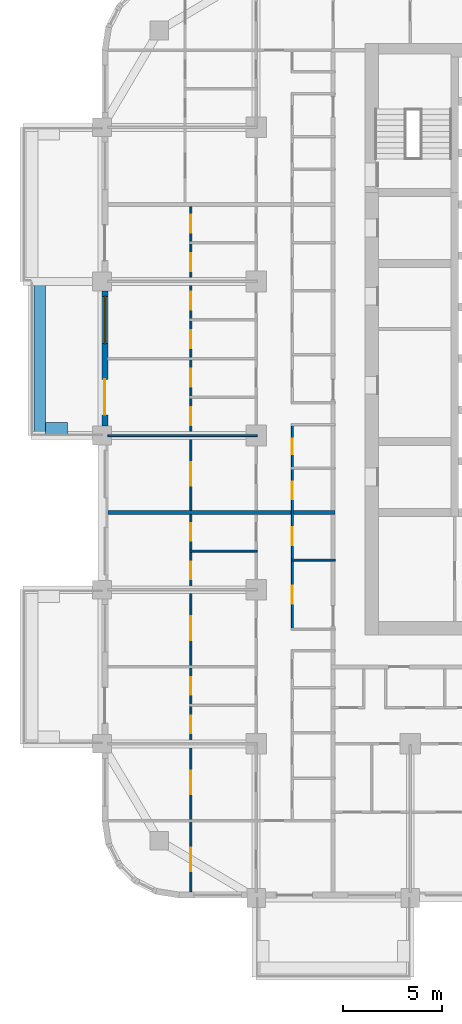
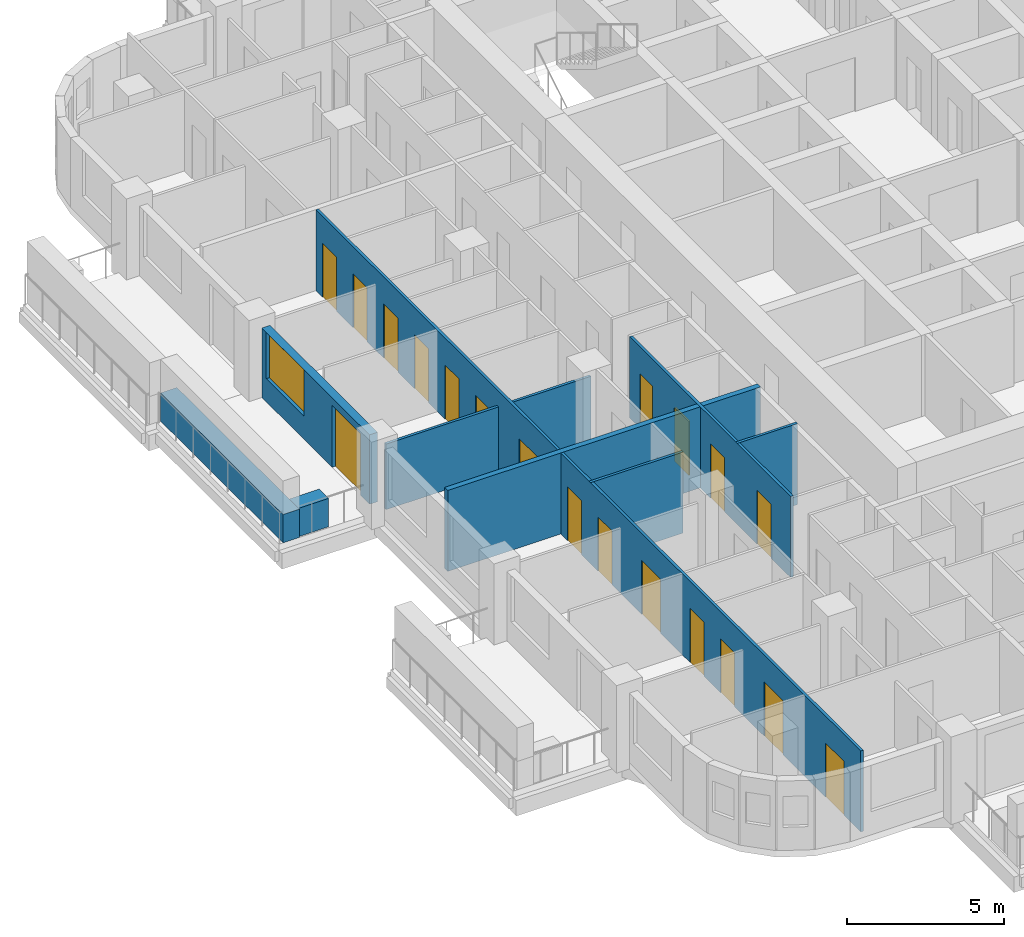
# One storey, part 5 of 18: 19 doors, 9 walls, 1 window, 20 openings.
"""IFC4 building model written with IfcOpenShell, lengths in metres."""

import ifcopenshell
import ifcopenshell.guid

model = None  # the IFC model being written
_history = None  # IfcOwnerHistory: only IFC2X3 demands one
_inside = {}  # id of a spatial element -> (the spatial element, [elements in it])
_under = {}  # id of a project, library or spatial element -> (it, [spatial elements below it])
_declared = {}  # id of a project -> (the project, [libraries it declares])
_typed = {}  # id of a type object -> (the type object, [elements of that type])
_made_of = {}  # id of a material, layer set ... -> (it, [elements and type objects made of it])


def new_model(schema):
    """Start an empty IFC model of exactly this schema.

    Asked for "IFC4X3", IfcOpenShell would pick the latest addendum, in which some entities
    have other attributes; the version numbers below select the first issue.
    IFC2X3 requires an IfcOwnerHistory on every rooted entity: one is made here for all.
    """
    global model, _history
    if schema == "IFC4X3":
        model = ifcopenshell.file(schema_version=(4, 3, 0, 0))
    else:
        model = ifcopenshell.file(schema=schema)
    _inside.clear()
    _under.clear()
    _declared.clear()
    _typed.clear()
    _made_of.clear()
    _history = None
    if model.schema == "IFC2X3":
        org = make("IfcOrganization", Name="unknown")
        user = make(
            "IfcPersonAndOrganization",
            ThePerson=make("IfcPerson", FamilyName="unknown"),
            TheOrganization=org,
        )
        app = make(
            "IfcApplication",
            ApplicationDeveloper=org,
            Version="unknown",
            ApplicationFullName="unknown",
            ApplicationIdentifier="unknown",
        )
        _history = make(
            "IfcOwnerHistory",
            OwningUser=user,
            OwningApplication=app,
            ChangeAction="ADDED",
            CreationDate=0,
        )
    return model


def make(cls, **values):
    """One entity of the class cls with the attributes given. An attribute that is None is left unset."""
    return model.create_entity(
        cls, **{name: value for name, value in values.items() if value is not None}
    )


def rooted(cls, **values):
    """An entity with a GlobalId (a new one), such as an element, a storey or a relation."""
    return make(cls, GlobalId=ifcopenshell.guid.new(), OwnerHistory=_history, **values)


def si_unit(unit_type, name, prefix=None):
    """IfcSIUnit, for example si_unit("LENGTHUNIT", "METRE", prefix="MILLI")."""
    return make("IfcSIUnit", UnitType=unit_type, Prefix=prefix, Name=name)


def assignment(units):
    """IfcUnitAssignment: the units of a project."""
    return None if units is None else make("IfcUnitAssignment", Units=units)


def point(xyz):
    """IfcCartesianPoint."""
    return None if xyz is None else make("IfcCartesianPoint", Coordinates=xyz)


def direction(xyz):
    """IfcDirection."""
    return None if xyz is None else make("IfcDirection", DirectionRatios=xyz)


def frame(location, z_axis=None, x_axis=None):
    """IfcAxis2Placement3D, a coordinate frame: its origin and axes. An axis left out is left unset."""
    return make(
        "IfcAxis2Placement3D",
        Location=point(location),
        Axis=direction(z_axis),
        RefDirection=direction(x_axis),
    )


def frame_2d(location, x_axis=None):
    """IfcAxis2Placement2D, a coordinate frame in the plane: its origin and x axis."""
    return make(
        "IfcAxis2Placement2D", Location=point(location), RefDirection=direction(x_axis)
    )


def origin():
    """The frame at (0, 0, 0) with its axes left unset."""
    return frame((0.0, 0.0, 0.0))


def place(relative_to, where):
    """IfcLocalPlacement: puts the frame where relative to a parent placement (None: the world)."""
    return make(
        "IfcLocalPlacement", PlacementRelTo=relative_to, RelativePlacement=where
    )


def context(
    kind, dimensions, precision=None, world=None, true_north=None, identifier=None
):
    """IfcGeometricRepresentationContext, for example the 3D "Model" context."""
    return make(
        "IfcGeometricRepresentationContext",
        ContextIdentifier=identifier,
        ContextType=kind,
        CoordinateSpaceDimension=dimensions,
        Precision=precision,
        WorldCoordinateSystem=world,
        TrueNorth=true_north,
    )


def subcontext(parent, identifier, kind, view, scale=None):
    """IfcGeometricRepresentationSubContext, for example "Body" below "Model"."""
    return make(
        "IfcGeometricRepresentationSubContext",
        ContextIdentifier=identifier,
        ContextType=kind,
        ParentContext=parent,
        TargetScale=scale,
        TargetView=view,
    )


def project(units=None, contexts=None):
    """IfcProject with its units and contexts."""
    return rooted(
        "IfcProject",
        Name="project",
        RepresentationContexts=contexts,
        UnitsInContext=assignment(units),
    )


def spatial(cls, under=None, at=None, **own):
    """A site, building, storey or space (cls), placed at a placement, below another one or the project."""
    s = rooted(cls, ObjectPlacement=at, **own)
    if under is not None:
        _under.setdefault(under.id(), (under, []))[1].append(s)
    return s


def profile(cls, at=None, kind="AREA", **sizes):
    """A parametric profile (cls). Its sizes go by their IFC names, for example OverallWidth=200.0."""
    return make(cls, ProfileType=kind, Position=at, **sizes)


def rectangle(**sizes):
    """IfcRectangleProfileDef."""
    return profile("IfcRectangleProfileDef", **sizes)


def extrude(swept, where, along, depth):
    """IfcExtrudedAreaSolid: the profile swept, set in the frame where, extruded along a direction by depth."""
    return make(
        "IfcExtrudedAreaSolid",
        SweptArea=swept,
        Position=where,
        ExtrudedDirection=direction(along),
        Depth=depth,
    )


def shape(context_of_items, identifier, shape_type, items):
    """IfcShapeRepresentation: the items that make up one representation, for example the "Body"."""
    return make(
        "IfcShapeRepresentation",
        ContextOfItems=context_of_items,
        RepresentationIdentifier=identifier,
        RepresentationType=shape_type,
        Items=items,
    )


def material(Name=None, Category=None):
    """IfcMaterial."""
    return make("IfcMaterial", Name=Name, Category=Category)


def layer(
    of_material, thickness, ventilated=None, Name=None, Category=None, Priority=None
):
    """IfcMaterialLayer: one layer of a wall or slab, of a material (None: an air gap)."""
    return make(
        "IfcMaterialLayer",
        Material=of_material,
        LayerThickness=thickness,
        IsVentilated=ventilated,
        Name=Name,
        Category=Category,
        Priority=Priority,
    )


def layer_set(layers, Name=None):
    """IfcMaterialLayerSet."""
    return make("IfcMaterialLayerSet", MaterialLayers=layers, LayerSetName=Name)


def made_of(thing, what):
    """Note that an element or type object is made of a material, layer set ...; save() writes the relation."""
    if what is not None:
        _made_of.setdefault(what.id(), (what, []))[1].append(thing)
    return thing


def type_object(cls, material=None, **own):
    """A type object (cls), such as IfcWallType, which elements share."""
    return made_of(rooted(cls, **own), material)


def element(
    cls,
    number,
    at=None,
    inside=None,
    cuts=None,
    type_object=None,
    material=None,
    context=None,
    identifier="Body",
    shape_type=None,
    held_by="IfcProductDefinitionShape",
    body=None,
    shapes=None,
    **own,
):
    """One element of the class cls, such as IfcWall. Its Tag is "e" and its number.

    at: its placement. inside: the storey or other place that contains it. cuts: it is an
    opening in that element (IfcRelVoidsElement). A single representation is given by context,
    identifier, shape_type and body (its items); several are given by shapes. held_by: the class
    of the entity that holds the representations. save() writes the other relations.
    """
    e = rooted(cls, Tag="e%d" % number, ObjectPlacement=at, **own)
    if body is not None:
        shapes = [shape(context, identifier, shape_type, body)]
    if shapes is not None:
        e.Representation = make(held_by, Representations=shapes)
    if inside is not None:
        _inside.setdefault(inside.id(), (inside, []))[1].append(e)
    if cuts is not None:
        rooted(
            "IfcRelVoidsElement", RelatingBuildingElement=cuts, RelatedOpeningElement=e
        )
    if type_object is not None:
        _typed.setdefault(type_object.id(), (type_object, []))[1].append(e)
    return made_of(e, material)


def fill(opening, filler):
    """IfcRelFillsElement: the door or window that sits in an opening."""
    return rooted(
        "IfcRelFillsElement",
        RelatingOpeningElement=opening,
        RelatedBuildingElement=filler,
    )


def aggregate(whole, parts):
    """IfcRelAggregates: a whole, such as a stair, and the parts it consists of."""
    return rooted("IfcRelAggregates", RelatingObject=whole, RelatedObjects=parts)


def save(model, path):
    """Write the relations noted so far, then the file.

    IfcRelAggregates (storeys below a building ...), IfcRelContainedInSpatialStructure (elements
    in a storey), IfcRelDefinesByType, IfcRelAssociatesMaterial and IfcRelDeclares: one each for
    every whole, place, type object, material and project.
    """
    for whole, parts in _under.values():
        aggregate(whole, parts)
    for where, things in _inside.values():
        rooted(
            "IfcRelContainedInSpatialStructure",
            RelatedElements=things,
            RelatingStructure=where,
        )
    for kind, things in _typed.values():
        rooted("IfcRelDefinesByType", RelatedObjects=things, RelatingType=kind)
    for what, things in _made_of.values():
        rooted("IfcRelAssociatesMaterial", RelatedObjects=things, RelatingMaterial=what)
    for by, libraries in _declared.values():
        rooted("IfcRelDeclares", RelatingContext=by, RelatedDefinitions=libraries)
    model.write(path)


model = new_model("IFC4")

# Units and contexts
model_context = context("Model", 3, precision=1e-05, world=origin(), true_north=direction((0.0, 1.0)))
body_context = subcontext(model_context, "Body", "Model", "MODEL_VIEW")
ifc_project = project(units=[si_unit("LENGTHUNIT", "METRE"), si_unit("AREAUNIT", "SQUARE_METRE"), si_unit("VOLUMEUNIT", "CUBIC_METRE"), si_unit("PLANEANGLEUNIT", "RADIAN"), si_unit("MASSUNIT", "GRAM", prefix="KILO")], contexts=[model_context])

# Site, building, storey
site_placement = place(None, origin())
site = spatial("IfcSite", under=ifc_project, at=site_placement, CompositionType="ELEMENT")
building_placement = place(site_placement, origin())
building = spatial("IfcBuilding", under=site, at=building_placement, Name="Ludao Terraces", CompositionType="ELEMENT")
storey_placement = place(building_placement, frame((0.0, 0.0, 78.39990234375)))
storey = spatial("IfcBuildingStorey", under=building, at=storey_placement, Name="L21", CompositionType="ELEMENT", Elevation=78.39990234375)

# Walls
ifc_material_1 = material(Name="Concrete C40", Category="concrete")
ifc_layer_1 = layer(ifc_material_1, 0.60009765625)
ifc_layer_set_1 = layer_set([ifc_layer_1], Name="ENV Planter trough 600")
wall_type_1 = type_object("IfcWallType", Name="ENV Planter trough 600", PredefinedType="USERDEFINED", material=ifc_layer_set_1)
wall_1_placement = place(storey_placement, frame((58.449951171875, 65.0, 0.0), z_axis=(0.0, 0.0, 1.0), x_axis=(0.0, 1.0, 0.0)))
element("IfcWall", 1, at=wall_1_placement, inside=storey, type_object=wall_type_1, Name="PL-L21-W3", ObjectType="PLANTER", PredefinedType="USERDEFINED", context=body_context, shape_type="SweptSolid", body=[
    extrude(rectangle(XDim=7.800048828125, YDim=0.60009765625, at=frame_2d((3.89990234375, 0.0))), origin(), (0.0, 0.0, 1.0), 1.10009765625),
])
wall_2_placement = place(storey_placement, frame((58.75, 65.35009765625, 0.0), z_axis=(0.0, 0.0, 1.0), x_axis=(1.0, 0.0, 0.0)))
element("IfcWall", 2, at=wall_2_placement, inside=storey, type_object=wall_type_1, Name="PL-L21-W3-SA", ObjectType="PLANTER", PredefinedType="USERDEFINED", context=body_context, shape_type="SweptSolid", body=[
    extrude(rectangle(XDim=1.10009765625, YDim=0.60009765625, at=frame_2d((0.550048828125, 0.0))), origin(), (0.0, 0.0, 1.0), 1.10009765625),
])

# Wall, openings, door, window
ifc_material_2 = material(Name="Granite cladding", Category="masonry")
ifc_layer_2 = layer(ifc_material_2, 0.0400390625, Category="stone")
ifc_material_3 = material(Name="Mineral wool")
ifc_layer_3 = layer(ifc_material_3, 0.06005859375)
ifc_layer_4 = layer(ifc_material_1, 0.199951171875, Category="concrete")
ifc_layer_set_2 = layer_set([ifc_layer_2, ifc_layer_3, ifc_layer_4], Name="ENV Stone-clad wall 300")
wall_type_2 = type_object("IfcWallType", Name="ENV Stone-clad wall 300", PredefinedType="SOLIDWALL", material=ifc_layer_set_2)
wall_3_placement = place(storey_placement, frame((61.75, 65.47509765625, 0.0), z_axis=(0.0, 0.0, 1.0), x_axis=(0.0, 1.0, 0.0)))
wall_3 = element("IfcWall", 3, at=wall_3_placement, inside=storey, type_object=wall_type_2, Name="EW-L21-W4", PredefinedType="SOLIDWALL", context=body_context, shape_type="SweptSolid", body=[
    extrude(rectangle(XDim=6.849853515625, YDim=0.300048828125, at=frame_2d((3.4248046875, 0.0))), origin(), (0.0, 0.0, 1.0), 2.7001953125),
])
opening_1_placement = place(wall_3_placement, frame((0.574951171875, 0.0, 0.0)))
opening_1 = element("IfcOpeningElement", 4, at=opening_1_placement, cuts=wall_3, Name="Opening BD", PredefinedType="OPENING", context=body_context, shape_type="SweptSolid", body=[
    extrude(rectangle(XDim=1.800048828125, YDim=2.39990234375, at=frame_2d((0.89990234375, 1.199951171875))), frame((0.0, 0.16015625, 0.0), z_axis=(0.0, -1.0, 0.0), x_axis=(1.0, 0.0, 0.0)), (0.0, 0.0, 1.0), 0.320068359375),
])
opening_2_placement = place(wall_3_placement, frame((4.175048828125, 0.0, 0.89990234375)))
opening_2 = element("IfcOpeningElement", 5, at=opening_2_placement, cuts=wall_3, Name="Opening W1", PredefinedType="OPENING", context=body_context, shape_type="SweptSolid", body=[
    extrude(rectangle(XDim=2.39990234375, YDim=1.800048828125, at=frame_2d((1.199951171875, 0.89990234375))), frame((0.0, 0.16015625, 0.0), z_axis=(0.0, -1.0, 0.0), x_axis=(1.0, 0.0, 0.0)), (0.0, 0.0, 1.0), 0.320068359375),
])
ifc_material_4 = material(Name="Aluminium glazed door", Category="aluminium")
ifc_layer_5 = layer(ifc_material_4, 0.06005859375)
ifc_layer_set_3 = layer_set([ifc_layer_5], Name="ENV Balcony door BD 1800x2400")
door_type_1 = type_object("IfcDoorType", Name="ENV Balcony door BD 1800x2400", OperationType="DOUBLE_DOOR_SINGLE_SWING", PredefinedType="DOOR", material=ifc_layer_set_3)
door_1_placement = place(opening_1_placement, origin())
door_1 = element("IfcDoor", 6, at=door_1_placement, inside=storey, type_object=door_type_1, Name="BD-L21-W4-1", OperationType="DOUBLE_DOOR_SINGLE_SWING", OverallHeight=2.39990234375, OverallWidth=1.800048828125, PredefinedType="DOOR", context=body_context, shape_type="SweptSolid", body=[
    extrude(rectangle(XDim=1.800048828125, YDim=2.39990234375, at=frame_2d((0.89990234375, 1.199951171875))), frame((0.0, 0.02490234375, 0.0), z_axis=(0.0, -1.0, 0.0), x_axis=(1.0, 0.0, 0.0)), (0.0, 0.0, 1.0), 0.050048828125),
])
fill(opening_1, door_1)
ifc_material_5 = material(Name="Clear glass in aluminium frame", Category="aluminium")
ifc_layer_6 = layer(ifc_material_5, 0.06005859375)
ifc_layer_set_4 = layer_set([ifc_layer_6], Name="ENV Window W1 2400x1800")
window_type = type_object("IfcWindowType", Name="ENV Window W1 2400x1800", PartitioningType="DOUBLE_PANEL_VERTICAL", PredefinedType="WINDOW", material=ifc_layer_set_4)
window_placement = place(opening_2_placement, origin())
window = element("IfcWindow", 7, at=window_placement, inside=storey, type_object=window_type, Name="W-L21-W4-2", OverallHeight=1.800048828125, OverallWidth=2.39990234375, PartitioningType="DOUBLE_PANEL_VERTICAL", PredefinedType="WINDOW", context=body_context, shape_type="SweptSolid", body=[
    extrude(rectangle(XDim=2.39990234375, YDim=1.800048828125, at=frame_2d((1.199951171875, 0.89990234375))), frame((0.0, 0.030029296875, 0.0), z_axis=(0.0, -1.0, 0.0), x_axis=(1.0, 0.0, 0.0)), (0.0, 0.0, 1.0), 0.06005859375),
])
fill(opening_2, window)

# Walls
ifc_material_6 = material(Name="Gypsum plasterboard", Category="gypsum")
ifc_layer_7 = layer(ifc_material_6, 0.012451171875, Category="gypsum")
ifc_layer_8 = layer(ifc_material_3, 0.06005859375, Name="insulation")
ifc_material_7 = material(Name="Steel Q235", Category="steel")
ifc_layer_9 = layer(ifc_material_7, 0.014892578125, Name="stud")
ifc_layer_10 = layer(ifc_material_6, 0.012451171875, Category="gypsum")
ifc_layer_set_5 = layer_set([ifc_layer_7, ifc_layer_8, ifc_layer_9, ifc_layer_10], Name="INT Partition 100")
wall_type_3 = type_object("IfcWallType", Name="INT Partition 100", PredefinedType="PARTITIONING", material=ifc_layer_set_5)
wall_4_placement = place(storey_placement, frame((71.18017578125, 58.699951171875, 0.0), z_axis=(0.0, 0.0, 1.0), x_axis=(1.0, 0.0, 0.0)))
element("IfcWall", 8, at=wall_4_placement, inside=storey, type_object=wall_type_3, Name="PW-L21-PW029", PredefinedType="PARTITIONING", context=body_context, shape_type="SweptSolid", body=[
    extrude(rectangle(XDim=2.219970703125, YDim=0.10009765625, at=frame_2d((1.10986328125, 0.0))), origin(), (0.0, 0.0, 1.0), 3.150146484375),
])
wall_5_placement = place(storey_placement, frame((66.050048828125, 59.14990234375, 0.0), z_axis=(0.0, 0.0, 1.0), x_axis=(1.0, 0.0, 0.0)))
element("IfcWall", 9, at=wall_5_placement, inside=storey, type_object=wall_type_3, Name="PW-L21-PW030", PredefinedType="PARTITIONING", context=body_context, shape_type="SweptSolid", body=[
    extrude(rectangle(XDim=3.400146484375, YDim=0.10009765625, at=frame_2d((1.7001953125, 0.0))), origin(), (0.0, 0.0, 1.0), 3.150146484375),
])
wall_6_placement = place(storey_placement, frame((61.900146484375, 65.0, 0.0), z_axis=(0.0, 0.0, 1.0), x_axis=(1.0, 0.0, 0.0)))
element("IfcWall", 10, at=wall_6_placement, inside=storey, type_object=wall_type_3, Name="PW-L21-PW040", PredefinedType="PARTITIONING", context=body_context, shape_type="SweptSolid", body=[
    extrude(rectangle(XDim=7.550048828125, YDim=0.10009765625, at=frame_2d((3.77490234375, 0.0))), origin(), (0.0, 0.0, 1.0), 2.550048828125),
])

# Wall, openings, doors
wall_7_placement = place(storey_placement, frame((66.10009765625, 41.900146484375, 0.0), z_axis=(0.0, 0.0, 1.0), x_axis=(0.0, 1.0, 0.0)))
wall_7 = element("IfcWall", 11, at=wall_7_placement, inside=storey, type_object=wall_type_3, Name="PW-L21-PW082", PredefinedType="PARTITIONING", context=body_context, shape_type="SweptSolid", body=[
    extrude(rectangle(XDim=34.699951171875, YDim=0.10009765625, at=frame_2d((17.35009765625, 0.0))), origin(), (0.0, 0.0, 1.0), 3.150146484375),
])
opening_3_placement = place(wall_7_placement, frame((1.050048828125, 0.0, 0.0)))
opening_3 = element("IfcOpeningElement", 12, at=opening_3_placement, cuts=wall_7, Name="Opening R06-001", PredefinedType="OPENING", context=body_context, shape_type="SweptSolid", body=[
    extrude(rectangle(XDim=1.199951171875, YDim=2.10009765625, at=frame_2d((0.60009765625, 1.050048828125))), frame((0.0, 0.06005859375, 0.0), z_axis=(0.0, -1.0, 0.0), x_axis=(1.0, 0.0, 0.0)), (0.0, 0.0, 1.0), 0.1201171875),
])
opening_4_placement = place(wall_7_placement, frame((4.949951171875, 0.0, 0.0)))
opening_4 = element("IfcOpeningElement", 13, at=opening_4_placement, cuts=wall_7, Name="Opening R06-019", PredefinedType="OPENING", context=body_context, shape_type="SweptSolid", body=[
    extrude(rectangle(XDim=1.199951171875, YDim=2.10009765625, at=frame_2d((0.60009765625, 1.050048828125))), frame((0.0, 0.06005859375, 0.0), z_axis=(0.0, -1.0, 0.0), x_axis=(1.0, 0.0, 0.0)), (0.0, 0.0, 1.0), 0.1201171875),
])
opening_5_placement = place(wall_7_placement, frame((8.02490234375, 0.0, 0.0)))
opening_5 = element("IfcOpeningElement", 14, at=opening_5_placement, cuts=wall_7, Name="Opening R06-031", PredefinedType="OPENING", context=body_context, shape_type="SweptSolid", body=[
    extrude(rectangle(XDim=0.89990234375, YDim=2.10009765625, at=frame_2d((0.449951171875, 1.050048828125))), frame((0.0, 0.06005859375, 0.0), z_axis=(0.0, -1.0, 0.0), x_axis=(1.0, 0.0, 0.0)), (0.0, 0.0, 1.0), 0.1201171875),
])
opening_6_placement = place(wall_7_placement, frame((9.97509765625, 0.0, 0.0)))
opening_6 = element("IfcOpeningElement", 15, at=opening_6_placement, cuts=wall_7, Name="Opening R06-044", PredefinedType="OPENING", context=body_context, shape_type="SweptSolid", body=[
    extrude(rectangle(XDim=0.89990234375, YDim=2.10009765625, at=frame_2d((0.449951171875, 1.050048828125))), frame((0.0, 0.06005859375, 0.0), z_axis=(0.0, -1.0, 0.0), x_axis=(1.0, 0.0, 0.0)), (0.0, 0.0, 1.0), 0.1201171875),
])
opening_7_placement = place(wall_7_placement, frame((12.75, 0.0, 0.0)))
opening_7 = element("IfcOpeningElement", 16, at=opening_7_placement, cuts=wall_7, Name="Opening R06-051", PredefinedType="OPENING", context=body_context, shape_type="SweptSolid", body=[
    extrude(rectangle(XDim=1.199951171875, YDim=2.10009765625, at=frame_2d((0.60009765625, 1.050048828125))), frame((0.0, 0.06005859375, 0.0), z_axis=(0.0, -1.0, 0.0), x_axis=(1.0, 0.0, 0.0)), (0.0, 0.0, 1.0), 0.1201171875),
])
opening_8_placement = place(wall_7_placement, frame((15.824951171875, 0.0, 0.0)))
opening_8 = element("IfcOpeningElement", 17, at=opening_8_placement, cuts=wall_7, Name="Opening R06-063", PredefinedType="OPENING", context=body_context, shape_type="SweptSolid", body=[
    extrude(rectangle(XDim=0.89990234375, YDim=2.10009765625, at=frame_2d((0.449951171875, 1.050048828125))), frame((0.0, 0.06005859375, 0.0), z_axis=(0.0, -1.0, 0.0), x_axis=(1.0, 0.0, 0.0)), (0.0, 0.0, 1.0), 0.1201171875),
])
opening_9_placement = place(wall_7_placement, frame((17.77490234375, 0.0, 0.0)))
opening_9 = element("IfcOpeningElement", 18, at=opening_9_placement, cuts=wall_7, Name="Opening R06-067", PredefinedType="OPENING", context=body_context, shape_type="SweptSolid", body=[
    extrude(rectangle(XDim=0.89990234375, YDim=2.10009765625, at=frame_2d((0.449951171875, 1.050048828125))), frame((0.0, 0.06005859375, 0.0), z_axis=(0.0, -1.0, 0.0), x_axis=(1.0, 0.0, 0.0)), (0.0, 0.0, 1.0), 0.1201171875),
])
opening_10_placement = place(wall_7_placement, frame((20.550048828125, 0.0, 0.0)))
opening_10 = element("IfcOpeningElement", 19, at=opening_10_placement, cuts=wall_7, Name="Opening R06-077", PredefinedType="OPENING", context=body_context, shape_type="SweptSolid", body=[
    extrude(rectangle(XDim=1.199951171875, YDim=2.10009765625, at=frame_2d((0.60009765625, 1.050048828125))), frame((0.0, 0.06005859375, 0.0), z_axis=(0.0, -1.0, 0.0), x_axis=(1.0, 0.0, 0.0)), (0.0, 0.0, 1.0), 0.1201171875),
])
opening_11_placement = place(wall_7_placement, frame((23.625, 0.0, 0.0)))
opening_11 = element("IfcOpeningElement", 20, at=opening_11_placement, cuts=wall_7, Name="Opening R06-087", PredefinedType="OPENING", context=body_context, shape_type="SweptSolid", body=[
    extrude(rectangle(XDim=0.89990234375, YDim=2.10009765625, at=frame_2d((0.449951171875, 1.050048828125))), frame((0.0, 0.06005859375, 0.0), z_axis=(0.0, -1.0, 0.0), x_axis=(1.0, 0.0, 0.0)), (0.0, 0.0, 1.0), 0.1201171875),
])
opening_12_placement = place(wall_7_placement, frame((25.574951171875, 0.0, 0.0)))
opening_12 = element("IfcOpeningElement", 21, at=opening_12_placement, cuts=wall_7, Name="Opening R06-094", PredefinedType="OPENING", context=body_context, shape_type="SweptSolid", body=[
    extrude(rectangle(XDim=0.89990234375, YDim=2.10009765625, at=frame_2d((0.449951171875, 1.050048828125))), frame((0.0, 0.06005859375, 0.0), z_axis=(0.0, -1.0, 0.0), x_axis=(1.0, 0.0, 0.0)), (0.0, 0.0, 1.0), 0.1201171875),
])
opening_13_placement = place(wall_7_placement, frame((27.52490234375, 0.0, 0.0)))
opening_13 = element("IfcOpeningElement", 22, at=opening_13_placement, cuts=wall_7, Name="Opening R06-100", PredefinedType="OPENING", context=body_context, shape_type="SweptSolid", body=[
    extrude(rectangle(XDim=0.89990234375, YDim=2.10009765625, at=frame_2d((0.449951171875, 1.050048828125))), frame((0.0, 0.06005859375, 0.0), z_axis=(0.0, -1.0, 0.0), x_axis=(1.0, 0.0, 0.0)), (0.0, 0.0, 1.0), 0.1201171875),
])
opening_14_placement = place(wall_7_placement, frame((29.47509765625, 0.0, 0.0)))
opening_14 = element("IfcOpeningElement", 23, at=opening_14_placement, cuts=wall_7, Name="Opening R06-107", PredefinedType="OPENING", context=body_context, shape_type="SweptSolid", body=[
    extrude(rectangle(XDim=0.89990234375, YDim=2.10009765625, at=frame_2d((0.449951171875, 1.050048828125))), frame((0.0, 0.06005859375, 0.0), z_axis=(0.0, -1.0, 0.0), x_axis=(1.0, 0.0, 0.0)), (0.0, 0.0, 1.0), 0.1201171875),
])
opening_15_placement = place(wall_7_placement, frame((31.425048828125, 0.0, 0.0)))
opening_15 = element("IfcOpeningElement", 24, at=opening_15_placement, cuts=wall_7, Name="Opening R06-115", PredefinedType="OPENING", context=body_context, shape_type="SweptSolid", body=[
    extrude(rectangle(XDim=0.89990234375, YDim=2.10009765625, at=frame_2d((0.449951171875, 1.050048828125))), frame((0.0, 0.06005859375, 0.0), z_axis=(0.0, -1.0, 0.0), x_axis=(1.0, 0.0, 0.0)), (0.0, 0.0, 1.0), 0.1201171875),
])
opening_16_placement = place(wall_7_placement, frame((33.375, 0.0, 0.0)))
opening_16 = element("IfcOpeningElement", 25, at=opening_16_placement, cuts=wall_7, Name="Opening R06-123", PredefinedType="OPENING", context=body_context, shape_type="SweptSolid", body=[
    extrude(rectangle(XDim=0.89990234375, YDim=2.10009765625, at=frame_2d((0.449951171875, 1.050048828125))), frame((0.0, 0.06005859375, 0.0), z_axis=(0.0, -1.0, 0.0), x_axis=(1.0, 0.0, 0.0)), (0.0, 0.0, 1.0), 0.1201171875),
])
ifc_material_8 = material(Name="Timber door leaf", Category="wood")
door_type_2 = type_object("IfcDoorType", Name="INT Bathroom door 900", OperationType="SINGLE_SWING_LEFT", PredefinedType="DOOR", material=ifc_material_8)
door_2_placement = place(opening_5_placement, origin())
door_2 = element("IfcDoor", 26, at=door_2_placement, inside=storey, type_object=door_type_2, Name="DOOR 031", OperationType="SINGLE_SWING_RIGHT", OverallHeight=2.10009765625, OverallWidth=0.89990234375, PredefinedType="DOOR", context=body_context, shape_type="SweptSolid", body=[
    extrude(rectangle(XDim=0.89990234375, YDim=2.10009765625, at=frame_2d((0.449951171875, 1.050048828125))), frame((0.0, 0.02490234375, 0.0), z_axis=(0.0, -1.0, 0.0), x_axis=(1.0, 0.0, 0.0)), (0.0, 0.0, 1.0), 0.050048828125),
])
fill(opening_5, door_2)
door_3_placement = place(opening_8_placement, origin())
door_3 = element("IfcDoor", 27, at=door_3_placement, inside=storey, type_object=door_type_2, Name="DOOR 063", OperationType="SINGLE_SWING_LEFT", OverallHeight=2.10009765625, OverallWidth=0.89990234375, PredefinedType="DOOR", context=body_context, shape_type="SweptSolid", body=[
    extrude(rectangle(XDim=0.89990234375, YDim=2.10009765625, at=frame_2d((0.449951171875, 1.050048828125))), frame((0.0, 0.02490234375, 0.0), z_axis=(0.0, -1.0, 0.0), x_axis=(1.0, 0.0, 0.0)), (0.0, 0.0, 1.0), 0.050048828125),
])
fill(opening_8, door_3)
door_4_placement = place(opening_11_placement, origin())
door_4 = element("IfcDoor", 28, at=door_4_placement, inside=storey, type_object=door_type_2, Name="DOOR 087", OperationType="SINGLE_SWING_LEFT", OverallHeight=2.10009765625, OverallWidth=0.89990234375, PredefinedType="DOOR", context=body_context, shape_type="SweptSolid", body=[
    extrude(rectangle(XDim=0.89990234375, YDim=2.10009765625, at=frame_2d((0.449951171875, 1.050048828125))), frame((0.0, 0.02490234375, 0.0), z_axis=(0.0, -1.0, 0.0), x_axis=(1.0, 0.0, 0.0)), (0.0, 0.0, 1.0), 0.050048828125),
])
fill(opening_11, door_4)
door_5_placement = place(opening_13_placement, origin())
door_5 = element("IfcDoor", 29, at=door_5_placement, inside=storey, type_object=door_type_2, Name="DOOR 100", OperationType="SINGLE_SWING_RIGHT", OverallHeight=2.10009765625, OverallWidth=0.89990234375, PredefinedType="DOOR", context=body_context, shape_type="SweptSolid", body=[
    extrude(rectangle(XDim=0.89990234375, YDim=2.10009765625, at=frame_2d((0.449951171875, 1.050048828125))), frame((0.0, 0.02490234375, 0.0), z_axis=(0.0, -1.0, 0.0), x_axis=(1.0, 0.0, 0.0)), (0.0, 0.0, 1.0), 0.050048828125),
])
fill(opening_13, door_5)
door_6_placement = place(opening_15_placement, origin())
door_6 = element("IfcDoor", 30, at=door_6_placement, inside=storey, type_object=door_type_2, Name="DOOR 115", OperationType="SINGLE_SWING_RIGHT", OverallHeight=2.10009765625, OverallWidth=0.89990234375, PredefinedType="DOOR", context=body_context, shape_type="SweptSolid", body=[
    extrude(rectangle(XDim=0.89990234375, YDim=2.10009765625, at=frame_2d((0.449951171875, 1.050048828125))), frame((0.0, 0.02490234375, 0.0), z_axis=(0.0, -1.0, 0.0), x_axis=(1.0, 0.0, 0.0)), (0.0, 0.0, 1.0), 0.050048828125),
])
fill(opening_15, door_6)
door_type_3 = type_object("IfcDoorType", Name="INT Double door 1200", OperationType="DOUBLE_DOOR_SINGLE_SWING", PredefinedType="DOOR", material=ifc_material_8)
door_7_placement = place(opening_3_placement, origin())
door_7 = element("IfcDoor", 31, at=door_7_placement, inside=storey, type_object=door_type_3, Name="DOOR 001", OperationType="DOUBLE_DOOR_SINGLE_SWING", OverallHeight=2.10009765625, OverallWidth=1.199951171875, PredefinedType="DOOR", context=body_context, shape_type="SweptSolid", body=[
    extrude(rectangle(XDim=1.199951171875, YDim=2.10009765625, at=frame_2d((0.60009765625, 1.050048828125))), frame((0.0, 0.02490234375, 0.0), z_axis=(0.0, -1.0, 0.0), x_axis=(1.0, 0.0, 0.0)), (0.0, 0.0, 1.0), 0.050048828125),
])
fill(opening_3, door_7)
door_8_placement = place(opening_4_placement, origin())
door_8 = element("IfcDoor", 32, at=door_8_placement, inside=storey, type_object=door_type_3, Name="DOOR 019", OperationType="DOUBLE_DOOR_SINGLE_SWING", OverallHeight=2.10009765625, OverallWidth=1.199951171875, PredefinedType="DOOR", context=body_context, shape_type="SweptSolid", body=[
    extrude(rectangle(XDim=1.199951171875, YDim=2.10009765625, at=frame_2d((0.60009765625, 1.050048828125))), frame((0.0, 0.02490234375, 0.0), z_axis=(0.0, -1.0, 0.0), x_axis=(1.0, 0.0, 0.0)), (0.0, 0.0, 1.0), 0.050048828125),
])
fill(opening_4, door_8)
door_9_placement = place(opening_7_placement, origin())
door_9 = element("IfcDoor", 33, at=door_9_placement, inside=storey, type_object=door_type_3, Name="DOOR 051", OperationType="DOUBLE_DOOR_SINGLE_SWING", OverallHeight=2.10009765625, OverallWidth=1.199951171875, PredefinedType="DOOR", context=body_context, shape_type="SweptSolid", body=[
    extrude(rectangle(XDim=1.199951171875, YDim=2.10009765625, at=frame_2d((0.60009765625, 1.050048828125))), frame((0.0, 0.02490234375, 0.0), z_axis=(0.0, -1.0, 0.0), x_axis=(1.0, 0.0, 0.0)), (0.0, 0.0, 1.0), 0.050048828125),
])
fill(opening_7, door_9)
door_10_placement = place(opening_10_placement, origin())
door_10 = element("IfcDoor", 34, at=door_10_placement, inside=storey, type_object=door_type_3, Name="DOOR 077", OperationType="DOUBLE_DOOR_SINGLE_SWING", OverallHeight=2.10009765625, OverallWidth=1.199951171875, PredefinedType="DOOR", context=body_context, shape_type="SweptSolid", body=[
    extrude(rectangle(XDim=1.199951171875, YDim=2.10009765625, at=frame_2d((0.60009765625, 1.050048828125))), frame((0.0, 0.02490234375, 0.0), z_axis=(0.0, -1.0, 0.0), x_axis=(1.0, 0.0, 0.0)), (0.0, 0.0, 1.0), 0.050048828125),
])
fill(opening_10, door_10)
door_type_4 = type_object("IfcDoorType", Name="INT Room door 900", OperationType="SINGLE_SWING_LEFT", PredefinedType="DOOR", material=ifc_material_8)
door_11_placement = place(opening_6_placement, origin())
door_11 = element("IfcDoor", 35, at=door_11_placement, inside=storey, type_object=door_type_4, Name="DOOR 044", OperationType="SINGLE_SWING_RIGHT", OverallHeight=2.10009765625, OverallWidth=0.89990234375, PredefinedType="DOOR", context=body_context, shape_type="SweptSolid", body=[
    extrude(rectangle(XDim=0.89990234375, YDim=2.10009765625, at=frame_2d((0.449951171875, 1.050048828125))), frame((0.0, 0.02490234375, 0.0), z_axis=(0.0, -1.0, 0.0), x_axis=(1.0, 0.0, 0.0)), (0.0, 0.0, 1.0), 0.050048828125),
])
fill(opening_6, door_11)
door_12_placement = place(opening_9_placement, origin())
door_12 = element("IfcDoor", 36, at=door_12_placement, inside=storey, type_object=door_type_4, Name="DOOR 067", OperationType="SINGLE_SWING_LEFT", OverallHeight=2.10009765625, OverallWidth=0.89990234375, PredefinedType="DOOR", context=body_context, shape_type="SweptSolid", body=[
    extrude(rectangle(XDim=0.89990234375, YDim=2.10009765625, at=frame_2d((0.449951171875, 1.050048828125))), frame((0.0, 0.02490234375, 0.0), z_axis=(0.0, -1.0, 0.0), x_axis=(1.0, 0.0, 0.0)), (0.0, 0.0, 1.0), 0.050048828125),
])
fill(opening_9, door_12)
door_13_placement = place(opening_12_placement, origin())
door_13 = element("IfcDoor", 37, at=door_13_placement, inside=storey, type_object=door_type_4, Name="DOOR 094", OperationType="SINGLE_SWING_RIGHT", OverallHeight=2.10009765625, OverallWidth=0.89990234375, PredefinedType="DOOR", context=body_context, shape_type="SweptSolid", body=[
    extrude(rectangle(XDim=0.89990234375, YDim=2.10009765625, at=frame_2d((0.449951171875, 1.050048828125))), frame((0.0, 0.02490234375, 0.0), z_axis=(0.0, -1.0, 0.0), x_axis=(1.0, 0.0, 0.0)), (0.0, 0.0, 1.0), 0.050048828125),
])
fill(opening_12, door_13)
door_14_placement = place(opening_14_placement, origin())
door_14 = element("IfcDoor", 38, at=door_14_placement, inside=storey, type_object=door_type_4, Name="DOOR 107", OperationType="SINGLE_SWING_LEFT", OverallHeight=2.10009765625, OverallWidth=0.89990234375, PredefinedType="DOOR", context=body_context, shape_type="SweptSolid", body=[
    extrude(rectangle(XDim=0.89990234375, YDim=2.10009765625, at=frame_2d((0.449951171875, 1.050048828125))), frame((0.0, 0.02490234375, 0.0), z_axis=(0.0, -1.0, 0.0), x_axis=(1.0, 0.0, 0.0)), (0.0, 0.0, 1.0), 0.050048828125),
])
fill(opening_14, door_14)
door_15_placement = place(opening_16_placement, origin())
door_15 = element("IfcDoor", 39, at=door_15_placement, inside=storey, type_object=door_type_4, Name="DOOR 123", OperationType="SINGLE_SWING_LEFT", OverallHeight=2.10009765625, OverallWidth=0.89990234375, PredefinedType="DOOR", context=body_context, shape_type="SweptSolid", body=[
    extrude(rectangle(XDim=0.89990234375, YDim=2.10009765625, at=frame_2d((0.449951171875, 1.050048828125))), frame((0.0, 0.02490234375, 0.0), z_axis=(0.0, -1.0, 0.0), x_axis=(1.0, 0.0, 0.0)), (0.0, 0.0, 1.0), 0.050048828125),
])
fill(opening_16, door_15)

wall_8_placement = place(storey_placement, frame((71.22998046875, 55.25, 0.0), z_axis=(0.0, 0.0, 1.0), x_axis=(0.0, 1.0, 0.0)))
wall_8 = element("IfcWall", 40, at=wall_8_placement, inside=storey, type_object=wall_type_3, Name="PW-L21-PW085", PredefinedType="PARTITIONING", context=body_context, shape_type="SweptSolid", body=[
    extrude(rectangle(XDim=10.25, YDim=0.10009765625, at=frame_2d((5.125, 0.0))), origin(), (0.0, 0.0, 1.0), 3.150146484375),
])
opening_17_placement = place(wall_8_placement, frame((1.25, 0.0, 0.0)))
opening_17 = element("IfcOpeningElement", 41, at=opening_17_placement, cuts=wall_8, Name="Opening R06-060", PredefinedType="OPENING", context=body_context, shape_type="SweptSolid", body=[
    extrude(rectangle(XDim=0.89990234375, YDim=2.10009765625, at=frame_2d((0.449951171875, 1.050048828125))), frame((0.0, 0.06005859375, 0.0), z_axis=(0.0, -1.0, 0.0), x_axis=(1.0, 0.0, 0.0)), (0.0, 0.0, 1.0), 0.1201171875),
])
opening_18_placement = place(wall_8_placement, frame((4.2001953125, 0.0, 0.0)))
opening_18 = element("IfcOpeningElement", 42, at=opening_18_placement, cuts=wall_8, Name="Opening R06-066", PredefinedType="OPENING", context=body_context, shape_type="SweptSolid", body=[
    extrude(rectangle(XDim=0.89990234375, YDim=2.10009765625, at=frame_2d((0.449951171875, 1.050048828125))), frame((0.0, 0.06005859375, 0.0), z_axis=(0.0, -1.0, 0.0), x_axis=(1.0, 0.0, 0.0)), (0.0, 0.0, 1.0), 0.1201171875),
])
opening_19_placement = place(wall_8_placement, frame((6.525146484375, 0.0, 0.0)))
opening_19 = element("IfcOpeningElement", 43, at=opening_19_placement, cuts=wall_8, Name="Opening R06-074", PredefinedType="OPENING", context=body_context, shape_type="SweptSolid", body=[
    extrude(rectangle(XDim=0.89990234375, YDim=2.10009765625, at=frame_2d((0.449951171875, 1.050048828125))), frame((0.0, 0.06005859375, 0.0), z_axis=(0.0, -1.0, 0.0), x_axis=(1.0, 0.0, 0.0)), (0.0, 0.0, 1.0), 0.1201171875),
])
opening_20_placement = place(wall_8_placement, frame((8.800048828125, 0.0, 0.0)))
opening_20 = element("IfcOpeningElement", 44, at=opening_20_placement, cuts=wall_8, Name="Opening R06-084", PredefinedType="OPENING", context=body_context, shape_type="SweptSolid", body=[
    extrude(rectangle(XDim=0.800048828125, YDim=2.10009765625, at=frame_2d((0.39990234375, 1.050048828125))), frame((0.0, 0.06005859375, 0.0), z_axis=(0.0, -1.0, 0.0), x_axis=(1.0, 0.0, 0.0)), (0.0, 0.0, 1.0), 0.1201171875),
])
door_16_placement = place(opening_18_placement, origin())
door_16 = element("IfcDoor", 45, at=door_16_placement, inside=storey, type_object=door_type_2, Name="DOOR 066", OperationType="SINGLE_SWING_LEFT", OverallHeight=2.10009765625, OverallWidth=0.89990234375, PredefinedType="DOOR", context=body_context, shape_type="SweptSolid", body=[
    extrude(rectangle(XDim=0.89990234375, YDim=2.10009765625, at=frame_2d((0.449951171875, 1.050048828125))), frame((0.0, 0.02490234375, 0.0), z_axis=(0.0, -1.0, 0.0), x_axis=(1.0, 0.0, 0.0)), (0.0, 0.0, 1.0), 0.050048828125),
])
fill(opening_18, door_16)
door_17_placement = place(opening_19_placement, origin())
door_17 = element("IfcDoor", 46, at=door_17_placement, inside=storey, type_object=door_type_2, Name="DOOR 074", OperationType="SINGLE_SWING_RIGHT", OverallHeight=2.10009765625, OverallWidth=0.89990234375, PredefinedType="DOOR", context=body_context, shape_type="SweptSolid", body=[
    extrude(rectangle(XDim=0.89990234375, YDim=2.10009765625, at=frame_2d((0.449951171875, 1.050048828125))), frame((0.0, 0.02490234375, 0.0), z_axis=(0.0, -1.0, 0.0), x_axis=(1.0, 0.0, 0.0)), (0.0, 0.0, 1.0), 0.050048828125),
])
fill(opening_19, door_17)
door_18_placement = place(opening_17_placement, origin())
door_18 = element("IfcDoor", 47, at=door_18_placement, inside=storey, type_object=door_type_4, Name="DOOR 060", OperationType="SINGLE_SWING_LEFT", OverallHeight=2.10009765625, OverallWidth=0.89990234375, PredefinedType="DOOR", context=body_context, shape_type="SweptSolid", body=[
    extrude(rectangle(XDim=0.89990234375, YDim=2.10009765625, at=frame_2d((0.449951171875, 1.050048828125))), frame((0.0, 0.02490234375, 0.0), z_axis=(0.0, -1.0, 0.0), x_axis=(1.0, 0.0, 0.0)), (0.0, 0.0, 1.0), 0.050048828125),
])
fill(opening_17, door_18)
door_type_5 = type_object("IfcDoorType", Name="INT Store door 800", OperationType="SINGLE_SWING_LEFT", PredefinedType="DOOR", material=ifc_material_8)
door_19_placement = place(opening_20_placement, origin())
door_19 = element("IfcDoor", 48, at=door_19_placement, inside=storey, type_object=door_type_5, Name="DOOR 084", OperationType="SINGLE_SWING_LEFT", OverallHeight=2.10009765625, OverallWidth=0.800048828125, PredefinedType="DOOR", context=body_context, shape_type="SweptSolid", body=[
    extrude(rectangle(XDim=0.800048828125, YDim=2.10009765625, at=frame_2d((0.39990234375, 1.050048828125))), frame((0.0, 0.02490234375, 0.0), z_axis=(0.0, -1.0, 0.0), x_axis=(1.0, 0.0, 0.0)), (0.0, 0.0, 1.0), 0.050048828125),
])
fill(opening_20, door_19)

# Wall
ifc_material_9 = material(Name="Autoclaved aerated concrete block B06 A3.5", Category="concrete")
ifc_layer_11 = layer(ifc_material_9, 0.199951171875)
ifc_layer_set_6 = layer_set([ifc_layer_11], Name="INT Party wall 200")
wall_type_4 = type_object("IfcWallType", Name="INT Party wall 200", PredefinedType="PARTITIONING", material=ifc_layer_set_6)
wall_9_placement = place(storey_placement, frame((61.900146484375, 61.10009765625, 0.0), z_axis=(0.0, 0.0, 1.0), x_axis=(1.0, 0.0, 0.0)))
element("IfcWall", 49, at=wall_9_placement, inside=storey, type_object=wall_type_4, Name="PW-L21-PW033", PredefinedType="PARTITIONING", context=body_context, shape_type="SweptSolid", body=[
    extrude(rectangle(XDim=11.5, YDim=0.199951171875, at=frame_2d((5.75, 0.0))), origin(), (0.0, 0.0, 1.0), 3.150146484375),
])

save(model, "model.ifc")
